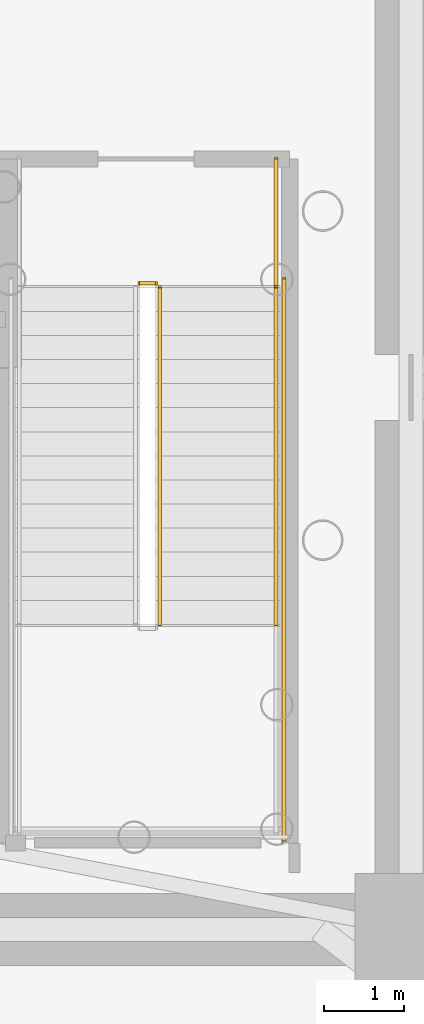
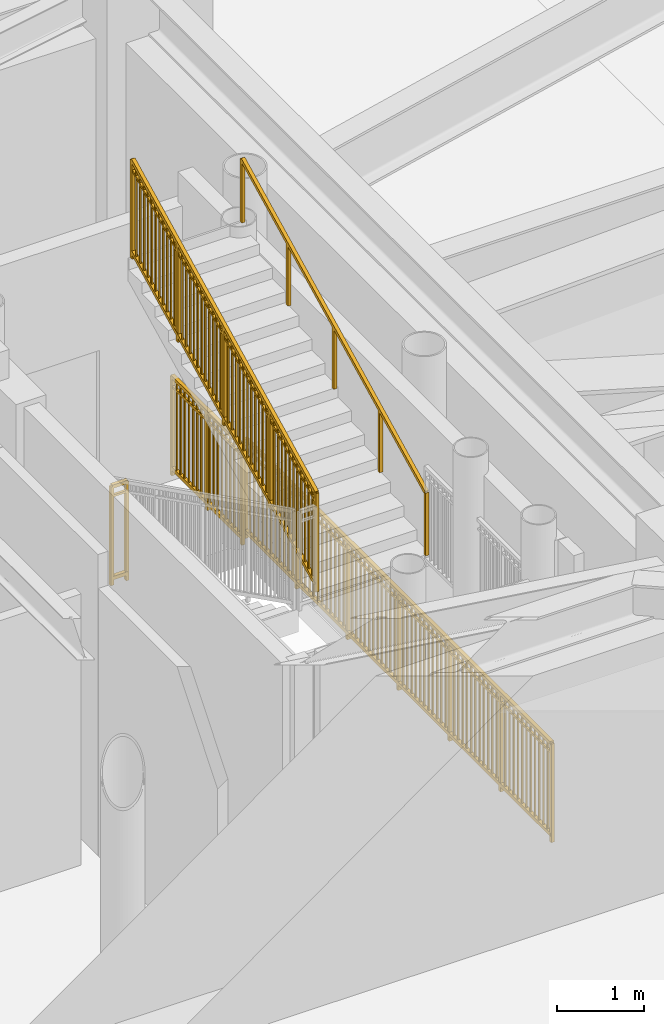
# One storey, part 20 of 21: 5 railings.
"""IFC4 building model written with IfcOpenShell, lengths in metres."""

from ifc_helpers import new_model, si_unit, direction, frame, origin, origin_2d, place, context, subcontext, project, spatial, rectangle, extrude, source, transform, mapped, material, type_object, element, save


model = new_model("IFC4")

# Units and contexts
model_context = context("Model", 3, precision=1e-05, world=origin(), true_north=direction((0.0, 1.0)))
body_context = subcontext(model_context, "Body", "Model", "MODEL_VIEW")
ifc_project = project(units=[si_unit("LENGTHUNIT", "METRE"), si_unit("AREAUNIT", "SQUARE_METRE"), si_unit("VOLUMEUNIT", "CUBIC_METRE"), si_unit("PLANEANGLEUNIT", "RADIAN"), si_unit("MASSUNIT", "GRAM", prefix="KILO")], contexts=[model_context])

# Site, building, storey
site_placement = place(None, origin())
site = spatial("IfcSite", under=ifc_project, at=site_placement, CompositionType="ELEMENT")
building_placement = place(site_placement, origin())
building = spatial("IfcBuilding", under=site, at=building_placement, Name="Linh Dai School and Residence Tower", CompositionType="ELEMENT")
storey_placement = place(building_placement, frame((0.0, 0.0, -4.5)))
storey = spatial("IfcBuildingStorey", under=building, at=storey_placement, Name="B01", CompositionType="ELEMENT", Elevation=-4.5)

# Railings
ifc_material_1 = material(Name="Structural Steel S355JR", Category="steel")
railing_type_1 = type_object("IfcRailingType", Name="RL-ST-GUARD-1400", PredefinedType="GUARDRAIL", material=ifc_material_1)
shared_shape_1 = source(origin(), body_context, "Body", "SweptSolid", [
    extrude(rectangle(XDim=0.048095703125, YDim=0.048095703125, at=origin_2d()), frame((0.0, 0.0, 1.3759765625), z_axis=(0.0, 0.894416792377, 0.447234392142), x_axis=(-1.0, 0.0, 0.0)), (0.0, 0.0, 1.0), 4.69580078125),
    extrude(rectangle(XDim=0.048095703125, YDim=0.048095703125, at=origin_2d()), frame((0.0, 0.0, 0.10009765625), z_axis=(0.0, 0.894416792377, 0.447234392142), x_axis=(-1.0, 0.0, 0.0)), (0.0, 0.0, 1.0), 4.69580078125),
    extrude(rectangle(XDim=0.030029296875, YDim=0.030029296875, at=origin_2d()), frame((0.0, 0.0, 1.239990234375), z_axis=(0.0, 0.894416792377, 0.447234392142), x_axis=(-1.0, 0.0, 0.0)), (0.0, 0.0, 1.0), 4.69580078125),
    extrude(rectangle(XDim=0.02001953125, YDim=0.02001953125, at=origin_2d()), frame((0.0, 0.08740234375, 0.143798828125)), (0.0, 0.0, 1.0), 1.251708984375),
    extrude(rectangle(XDim=0.02001953125, YDim=0.02001953125, at=origin_2d()), frame((0.0, 0.175048828125, 0.1875)), (0.0, 0.0, 1.0), 1.251708984375),
    extrude(rectangle(XDim=0.02001953125, YDim=0.02001953125, at=origin_2d()), frame((0.0, 0.262451171875, 0.2314453125)), (0.0, 0.0, 1.0), 1.251708984375),
    extrude(rectangle(XDim=0.02001953125, YDim=0.02001953125, at=origin_2d()), frame((0.0, 0.35009765625, 0.275146484375)), (0.0, 0.0, 1.0), 1.251708984375),
    extrude(rectangle(XDim=0.02001953125, YDim=0.02001953125, at=origin_2d()), frame((0.0, 0.4375, 0.31884765625)), (0.0, 0.0, 1.0), 1.251708984375),
    extrude(rectangle(XDim=0.02001953125, YDim=0.02001953125, at=origin_2d()), frame((0.0, 0.52490234375, 0.362548828125)), (0.0, 0.0, 1.0), 1.251708984375),
    extrude(rectangle(XDim=0.02001953125, YDim=0.02001953125, at=origin_2d()), frame((0.0, 0.612548828125, 0.40625)), (0.0, 0.0, 1.0), 1.251708984375),
    extrude(rectangle(XDim=0.02001953125, YDim=0.02001953125, at=origin_2d()), frame((0.0, 0.699951171875, 0.4501953125)), (0.0, 0.0, 1.0), 1.251708984375),
    extrude(rectangle(XDim=0.02001953125, YDim=0.02001953125, at=origin_2d()), frame((0.0, 0.78759765625, 0.493896484375)), (0.0, 0.0, 1.0), 1.251708984375),
    extrude(rectangle(XDim=0.02001953125, YDim=0.02001953125, at=origin_2d()), frame((0.0, 0.875, 0.53759765625)), (0.0, 0.0, 1.0), 1.251708984375),
    extrude(rectangle(XDim=0.02001953125, YDim=0.02001953125, at=origin_2d()), frame((0.0, 0.96240234375, 0.581298828125)), (0.0, 0.0, 1.0), 1.251708984375),
    extrude(rectangle(XDim=0.02001953125, YDim=0.02001953125, at=origin_2d()), frame((0.0, 1.137451171875, 0.6689453125)), (0.0, 0.0, 1.0), 1.251708984375),
    extrude(rectangle(XDim=0.02001953125, YDim=0.02001953125, at=origin_2d()), frame((0.0, 1.22509765625, 0.712646484375)), (0.0, 0.0, 1.0), 1.251708984375),
    extrude(rectangle(XDim=0.02001953125, YDim=0.02001953125, at=origin_2d()), frame((0.0, 1.3125, 0.75634765625)), (0.0, 0.0, 1.0), 1.251708984375),
    extrude(rectangle(XDim=0.02001953125, YDim=0.02001953125, at=origin_2d()), frame((0.0, 1.39990234375, 0.800048828125)), (0.0, 0.0, 1.0), 1.251708984375),
    extrude(rectangle(XDim=0.02001953125, YDim=0.02001953125, at=origin_2d()), frame((0.0, 1.487548828125, 0.843994140625)), (0.0, 0.0, 1.0), 1.251708984375),
    extrude(rectangle(XDim=0.02001953125, YDim=0.02001953125, at=origin_2d()), frame((0.0, 1.574951171875, 0.8876953125)), (0.0, 0.0, 1.0), 1.251708984375),
    extrude(rectangle(XDim=0.02001953125, YDim=0.02001953125, at=origin_2d()), frame((0.0, 1.66259765625, 0.931396484375)), (0.0, 0.0, 1.0), 1.251708984375),
    extrude(rectangle(XDim=0.02001953125, YDim=0.02001953125, at=origin_2d()), frame((0.0, 1.75, 0.97509765625)), (0.0, 0.0, 1.0), 1.251708984375),
    extrude(rectangle(XDim=0.02001953125, YDim=0.02001953125, at=origin_2d()), frame((0.0, 1.83740234375, 1.018798828125)), (0.0, 0.0, 1.0), 1.251708984375),
    extrude(rectangle(XDim=0.02001953125, YDim=0.02001953125, at=origin_2d()), frame((0.0, 1.925048828125, 1.062744140625)), (0.0, 0.0, 1.0), 1.251708984375),
    extrude(rectangle(XDim=0.02001953125, YDim=0.02001953125, at=origin_2d()), frame((0.0, 2.012451171875, 1.1064453125)), (0.0, 0.0, 1.0), 1.251708984375),
    extrude(rectangle(XDim=0.02001953125, YDim=0.02001953125, at=origin_2d()), frame((0.0, 2.1875, 1.19384765625)), (0.0, 0.0, 1.0), 1.251708984375),
    extrude(rectangle(XDim=0.02001953125, YDim=0.02001953125, at=origin_2d()), frame((0.0, 2.27490234375, 1.237548828125)), (0.0, 0.0, 1.0), 1.251708984375),
    extrude(rectangle(XDim=0.02001953125, YDim=0.02001953125, at=origin_2d()), frame((0.0, 2.362548828125, 1.281494140625)), (0.0, 0.0, 1.0), 1.251708984375),
    extrude(rectangle(XDim=0.02001953125, YDim=0.02001953125, at=origin_2d()), frame((0.0, 2.449951171875, 1.3251953125)), (0.0, 0.0, 1.0), 1.251708984375),
    extrude(rectangle(XDim=0.02001953125, YDim=0.02001953125, at=origin_2d()), frame((0.0, 2.537353515625, 1.368896484375)), (0.0, 0.0, 1.0), 1.251708984375),
    extrude(rectangle(XDim=0.02001953125, YDim=0.02001953125, at=origin_2d()), frame((0.0, 2.625, 1.41259765625)), (0.0, 0.0, 1.0), 1.251708984375),
    extrude(rectangle(XDim=0.02001953125, YDim=0.02001953125, at=origin_2d()), frame((0.0, 2.71240234375, 1.456298828125)), (0.0, 0.0, 1.0), 1.251708984375),
    extrude(rectangle(XDim=0.02001953125, YDim=0.02001953125, at=origin_2d()), frame((0.0, 2.800048828125, 1.500244140625)), (0.0, 0.0, 1.0), 1.251708984375),
    extrude(rectangle(XDim=0.02001953125, YDim=0.02001953125, at=origin_2d()), frame((0.0, 2.887451171875, 1.5439453125)), (0.0, 0.0, 1.0), 1.251708984375),
    extrude(rectangle(XDim=0.02001953125, YDim=0.02001953125, at=origin_2d()), frame((0.0, 2.974853515625, 1.587646484375)), (0.0, 0.0, 1.0), 1.251708984375),
    extrude(rectangle(XDim=0.02001953125, YDim=0.02001953125, at=origin_2d()), frame((0.0, 3.0625, 1.63134765625)), (0.0, 0.0, 1.0), 1.251708984375),
    extrude(rectangle(XDim=0.02001953125, YDim=0.02001953125, at=origin_2d()), frame((0.0, 3.237548828125, 1.718994140625)), (0.0, 0.0, 1.0), 1.251708984375),
    extrude(rectangle(XDim=0.02001953125, YDim=0.02001953125, at=origin_2d()), frame((0.0, 3.324951171875, 1.7626953125)), (0.0, 0.0, 1.0), 1.251708984375),
    extrude(rectangle(XDim=0.02001953125, YDim=0.02001953125, at=origin_2d()), frame((0.0, 3.412353515625, 1.806396484375)), (0.0, 0.0, 1.0), 1.251708984375),
    extrude(rectangle(XDim=0.02001953125, YDim=0.02001953125, at=origin_2d()), frame((0.0, 3.5, 1.85009765625)), (0.0, 0.0, 1.0), 1.251708984375),
    extrude(rectangle(XDim=0.02001953125, YDim=0.02001953125, at=origin_2d()), frame((0.0, 3.58740234375, 1.89404296875)), (0.0, 0.0, 1.0), 1.251708984375),
    extrude(rectangle(XDim=0.02001953125, YDim=0.02001953125, at=origin_2d()), frame((0.0, 3.675048828125, 1.937744140625)), (0.0, 0.0, 1.0), 1.251708984375),
    extrude(rectangle(XDim=0.02001953125, YDim=0.02001953125, at=origin_2d()), frame((0.0, 3.762451171875, 1.9814453125)), (0.0, 0.0, 1.0), 1.251708984375),
    extrude(rectangle(XDim=0.02001953125, YDim=0.02001953125, at=origin_2d()), frame((0.0, 3.849853515625, 2.025146484375)), (0.0, 0.0, 1.0), 1.251708984375),
    extrude(rectangle(XDim=0.02001953125, YDim=0.02001953125, at=origin_2d()), frame((0.0, 3.9375, 2.06884765625)), (0.0, 0.0, 1.0), 1.251708984375),
    extrude(rectangle(XDim=0.02001953125, YDim=0.02001953125, at=origin_2d()), frame((0.0, 4.02490234375, 2.11279296875)), (0.0, 0.0, 1.0), 1.251708984375),
    extrude(rectangle(XDim=0.02001953125, YDim=0.02001953125, at=origin_2d()), frame((0.0, 4.112548828125, 2.156494140625)), (0.0, 0.0, 1.0), 1.251708984375),
    extrude(rectangle(XDim=0.0419921875, YDim=0.0419921875, at=origin_2d()), origin(), (0.0, 0.0, 1.0), 1.3759765625),
    extrude(rectangle(XDim=0.0419921875, YDim=0.0419921875, at=origin_2d()), frame((0.0, 1.050048828125, 0.52490234375)), (0.0, 0.0, 1.0), 1.3759765625),
    extrude(rectangle(XDim=0.0419921875, YDim=0.0419921875, at=origin_2d()), frame((0.0, 2.10009765625, 1.050048828125)), (0.0, 0.0, 1.0), 1.3759765625),
    extrude(rectangle(XDim=0.0419921875, YDim=0.0419921875, at=origin_2d()), frame((0.0, 3.14990234375, 1.5751953125)), (0.0, 0.0, 1.0), 1.3759765625),
    extrude(rectangle(XDim=0.0419921875, YDim=0.0419921875, at=origin_2d()), frame((0.0, 4.199951171875, 2.10009765625)), (0.0, 0.0, 1.0), 1.3759765625),
])
railing_1_placement = place(storey_placement, frame((42.820068359375, 24.050048828125, 2.39990234375)))
element("IfcRailing", 1, at=railing_1_placement, inside=storey, type_object=railing_type_1, Name="B01 ST2 stair guard 6", PredefinedType="GUARDRAIL", context=body_context, shape_type="MappedRepresentation", body=[
    mapped(shared_shape_1, transform((0.0, 0.0, 0.0), x_axis=(1.0, 0.0, 0.0), y_axis=(0.0, 1.0, 0.0), z_axis=(0.0, 0.0, 1.0), scale=1.0)),
])
ifc_material_2 = material(Name="Brushed Stainless Steel Handrail", Category="steel")
railing_type_2 = type_object("IfcRailingType", Name="RL-ST-HANDRAIL-900", PredefinedType="HANDRAIL", material=ifc_material_2)
shared_shape_2 = source(origin(), body_context, "Body", "SweptSolid", [
    extrude(rectangle(XDim=0.048095703125, YDim=0.048095703125, at=origin_2d()), frame((0.0, 0.0, 0.8759765625), z_axis=(0.0, 0.894416792377, 0.447234392142), x_axis=(-1.0, 0.0, 0.0)), (0.0, 0.0, 1.0), 4.69580078125),
    extrude(rectangle(XDim=0.0419921875, YDim=0.0419921875, at=origin_2d()), origin(), (0.0, 0.0, 1.0), 0.8759765625),
    extrude(rectangle(XDim=0.0419921875, YDim=0.0419921875, at=origin_2d()), frame((0.0, 1.050048828125, 0.52490234375)), (0.0, 0.0, 1.0), 0.8759765625),
    extrude(rectangle(XDim=0.0419921875, YDim=0.0419921875, at=origin_2d()), frame((0.0, 2.10009765625, 1.050048828125)), (0.0, 0.0, 1.0), 0.8759765625),
    extrude(rectangle(XDim=0.0419921875, YDim=0.0419921875, at=origin_2d()), frame((0.0, 3.14990234375, 1.5751953125)), (0.0, 0.0, 1.0), 0.8759765625),
    extrude(rectangle(XDim=0.0419921875, YDim=0.0419921875, at=origin_2d()), frame((0.0, 4.199951171875, 2.10009765625)), (0.0, 0.0, 1.0), 0.8759765625),
])
railing_2_placement = place(storey_placement, frame((44.27001953125, 24.050048828125, 2.39990234375)))
element("IfcRailing", 2, at=railing_2_placement, inside=storey, type_object=railing_type_2, Name="B01 ST2 stair handrail 2", PredefinedType="HANDRAIL", context=body_context, shape_type="MappedRepresentation", body=[
    mapped(shared_shape_2, transform((0.0, 0.0, 0.0), x_axis=(1.0, 0.0, 0.0), y_axis=(0.0, 1.0, 0.0), z_axis=(0.0, 0.0, 1.0), scale=1.0)),
])
shared_shape_3 = source(origin(), body_context, "Body", "SweptSolid", [
    extrude(rectangle(XDim=0.048095703125, YDim=0.048095703125, at=origin_2d()), frame((0.0, 0.0, 1.3759765625), z_axis=(1.0, 0.0, 0.0), x_axis=(0.0, 1.0, 0.0)), (0.0, 0.0, 1.0), 0.199951171875),
    extrude(rectangle(XDim=0.048095703125, YDim=0.048095703125, at=origin_2d()), frame((0.0, 0.0, 0.10009765625), z_axis=(1.0, 0.0, 0.0), x_axis=(0.0, 1.0, 0.0)), (0.0, 0.0, 1.0), 0.199951171875),
    extrude(rectangle(XDim=0.030029296875, YDim=0.030029296875, at=origin_2d()), frame((0.0, 0.0, 1.239990234375), z_axis=(1.0, 0.0, 0.0), x_axis=(0.0, 1.0, 0.0)), (0.0, 0.0, 1.0), 0.199951171875),
    extrude(rectangle(XDim=0.0419921875, YDim=0.0419921875, at=origin_2d()), origin(), (0.0, 0.0, 1.0), 1.3759765625),
    extrude(rectangle(XDim=0.0419921875, YDim=0.0419921875, at=origin_2d()), frame((0.199951171875, 0.0, 0.0)), (0.0, 0.0, 1.0), 1.3759765625),
])
railing_3_placement = place(storey_placement, frame((42.570068359375, 28.300048828125, 0.0)))
element("IfcRailing", 3, at=railing_3_placement, inside=storey, type_object=railing_type_1, Name="B01 ST2 stair guard 7", PredefinedType="GUARDRAIL", context=body_context, shape_type="MappedRepresentation", body=[
    mapped(shared_shape_3, transform((0.0, 0.0, 0.0), x_axis=(1.0, 0.0, 0.0), y_axis=(0.0, 1.0, 0.0), z_axis=(0.0, 0.0, 1.0), scale=1.0)),
])
shared_shape_4 = source(origin(), body_context, "Body", "SweptSolid", [
    extrude(rectangle(XDim=0.048095703125, YDim=0.048095703125, at=origin_2d()), frame((0.0, 0.0, 1.3759765625), z_axis=(0.0, -1.0, 0.0), x_axis=(1.0, 0.0, 0.0)), (0.0, 0.0, 1.0), 1.60009765625),
    extrude(rectangle(XDim=0.048095703125, YDim=0.048095703125, at=origin_2d()), frame((0.0, 0.0, 0.10009765625), z_axis=(0.0, -1.0, 0.0), x_axis=(1.0, 0.0, 0.0)), (0.0, 0.0, 1.0), 1.60009765625),
    extrude(rectangle(XDim=0.030029296875, YDim=0.030029296875, at=origin_2d()), frame((0.0, 0.0, 1.239990234375), z_axis=(0.0, -1.0, 0.0), x_axis=(1.0, 0.0, 0.0)), (0.0, 0.0, 1.0), 1.60009765625),
    extrude(rectangle(XDim=0.02001953125, YDim=0.02001953125, at=origin_2d()), frame((0.0, -0.09423828125, 0.10009765625)), (0.0, 0.0, 1.0), 1.251708984375),
    extrude(rectangle(XDim=0.02001953125, YDim=0.02001953125, at=origin_2d()), frame((0.0, -0.188232421875, 0.10009765625)), (0.0, 0.0, 1.0), 1.251708984375),
    extrude(rectangle(XDim=0.02001953125, YDim=0.02001953125, at=origin_2d()), frame((0.0, -0.282470703125, 0.10009765625)), (0.0, 0.0, 1.0), 1.251708984375),
    extrude(rectangle(XDim=0.02001953125, YDim=0.02001953125, at=origin_2d()), frame((0.0, -0.37646484375, 0.10009765625)), (0.0, 0.0, 1.0), 1.251708984375),
    extrude(rectangle(XDim=0.02001953125, YDim=0.02001953125, at=origin_2d()), frame((0.0, -0.470703125, 0.10009765625)), (0.0, 0.0, 1.0), 1.251708984375),
    extrude(rectangle(XDim=0.02001953125, YDim=0.02001953125, at=origin_2d()), frame((0.0, -0.564697265625, 0.10009765625)), (0.0, 0.0, 1.0), 1.251708984375),
    extrude(rectangle(XDim=0.02001953125, YDim=0.02001953125, at=origin_2d()), frame((0.0, -0.658935546875, 0.10009765625)), (0.0, 0.0, 1.0), 1.251708984375),
    extrude(rectangle(XDim=0.02001953125, YDim=0.02001953125, at=origin_2d()), frame((0.0, -0.7529296875, 0.10009765625)), (0.0, 0.0, 1.0), 1.251708984375),
    extrude(rectangle(XDim=0.02001953125, YDim=0.02001953125, at=origin_2d()), frame((0.0, -0.84716796875, 0.10009765625)), (0.0, 0.0, 1.0), 1.251708984375),
    extrude(rectangle(XDim=0.02001953125, YDim=0.02001953125, at=origin_2d()), frame((0.0, -0.941162109375, 0.10009765625)), (0.0, 0.0, 1.0), 1.251708984375),
    extrude(rectangle(XDim=0.02001953125, YDim=0.02001953125, at=origin_2d()), frame((0.0, -1.035400390625, 0.10009765625)), (0.0, 0.0, 1.0), 1.251708984375),
    extrude(rectangle(XDim=0.02001953125, YDim=0.02001953125, at=origin_2d()), frame((0.0, -1.12939453125, 0.10009765625)), (0.0, 0.0, 1.0), 1.251708984375),
    extrude(rectangle(XDim=0.02001953125, YDim=0.02001953125, at=origin_2d()), frame((0.0, -1.2236328125, 0.10009765625)), (0.0, 0.0, 1.0), 1.251708984375),
    extrude(rectangle(XDim=0.02001953125, YDim=0.02001953125, at=origin_2d()), frame((0.0, -1.317626953125, 0.10009765625)), (0.0, 0.0, 1.0), 1.251708984375),
    extrude(rectangle(XDim=0.02001953125, YDim=0.02001953125, at=origin_2d()), frame((0.0, -1.411865234375, 0.10009765625)), (0.0, 0.0, 1.0), 1.251708984375),
    extrude(rectangle(XDim=0.02001953125, YDim=0.02001953125, at=origin_2d()), frame((0.0, -1.505859375, 0.10009765625)), (0.0, 0.0, 1.0), 1.251708984375),
    extrude(rectangle(XDim=0.0419921875, YDim=0.0419921875, at=origin_2d()), origin(), (0.0, 0.0, 1.0), 1.3759765625),
    extrude(rectangle(XDim=0.0419921875, YDim=0.0419921875, at=origin_2d()), frame((0.0, -0.800048828125, 0.0)), (0.0, 0.0, 1.0), 1.3759765625),
    extrude(rectangle(XDim=0.0419921875, YDim=0.0419921875, at=origin_2d()), frame((0.0, -1.60009765625, 0.0)), (0.0, 0.0, 1.0), 1.3759765625),
])
railing_4_placement = place(storey_placement, frame((44.27001953125, 29.85009765625, 0.0)))
element("IfcRailing", 4, at=railing_4_placement, inside=storey, type_object=railing_type_1, Name="B01 ST2 stair guard 9", PredefinedType="GUARDRAIL", context=body_context, shape_type="MappedRepresentation", body=[
    mapped(shared_shape_4, transform((0.0, 0.0, 0.0), x_axis=(1.0, 0.0, 0.0), y_axis=(0.0, 1.0, 0.0), z_axis=(0.0, 0.0, 1.0), scale=1.0)),
])
shared_shape_5 = source(origin(), body_context, "Body", "SweptSolid", [
    extrude(rectangle(XDim=0.048095703125, YDim=0.048095703125, at=origin_2d()), frame((0.0, 0.0, 1.3759765625), z_axis=(0.0, -1.0, 0.0), x_axis=(1.0, 0.0, 0.0)), (0.0, 0.0, 1.0), 7.0),
    extrude(rectangle(XDim=0.048095703125, YDim=0.048095703125, at=origin_2d()), frame((0.0, 0.0, 0.10009765625), z_axis=(0.0, -1.0, 0.0), x_axis=(1.0, 0.0, 0.0)), (0.0, 0.0, 1.0), 7.0),
    extrude(rectangle(XDim=0.030029296875, YDim=0.030029296875, at=origin_2d()), frame((0.0, 0.0, 1.239990234375), z_axis=(0.0, -1.0, 0.0), x_axis=(1.0, 0.0, 0.0)), (0.0, 0.0, 1.0), 7.0),
    extrude(rectangle(XDim=0.02001953125, YDim=0.02001953125, at=origin_2d()), frame((0.0, -0.09716796875, 0.10009765625)), (0.0, 0.0, 1.0), 1.251708984375),
    extrude(rectangle(XDim=0.02001953125, YDim=0.02001953125, at=origin_2d()), frame((0.0, -0.1943359375, 0.10009765625)), (0.0, 0.0, 1.0), 1.251708984375),
    extrude(rectangle(XDim=0.02001953125, YDim=0.02001953125, at=origin_2d()), frame((0.0, -0.291748046875, 0.10009765625)), (0.0, 0.0, 1.0), 1.251708984375),
    extrude(rectangle(XDim=0.02001953125, YDim=0.02001953125, at=origin_2d()), frame((0.0, -0.388916015625, 0.10009765625)), (0.0, 0.0, 1.0), 1.251708984375),
    extrude(rectangle(XDim=0.02001953125, YDim=0.02001953125, at=origin_2d()), frame((0.0, -0.486083984375, 0.10009765625)), (0.0, 0.0, 1.0), 1.251708984375),
    extrude(rectangle(XDim=0.02001953125, YDim=0.02001953125, at=origin_2d()), frame((0.0, -0.583251953125, 0.10009765625)), (0.0, 0.0, 1.0), 1.251708984375),
    extrude(rectangle(XDim=0.02001953125, YDim=0.02001953125, at=origin_2d()), frame((0.0, -0.6806640625, 0.10009765625)), (0.0, 0.0, 1.0), 1.251708984375),
    extrude(rectangle(XDim=0.02001953125, YDim=0.02001953125, at=origin_2d()), frame((0.0, -0.77783203125, 0.10009765625)), (0.0, 0.0, 1.0), 1.251708984375),
    extrude(rectangle(XDim=0.02001953125, YDim=0.02001953125, at=origin_2d()), frame((0.0, -0.875, 0.10009765625)), (0.0, 0.0, 1.0), 1.251708984375),
    extrude(rectangle(XDim=0.02001953125, YDim=0.02001953125, at=origin_2d()), frame((0.0, -0.97216796875, 0.10009765625)), (0.0, 0.0, 1.0), 1.251708984375),
    extrude(rectangle(XDim=0.02001953125, YDim=0.02001953125, at=origin_2d()), frame((0.0, -1.0693359375, 0.10009765625)), (0.0, 0.0, 1.0), 1.251708984375),
    extrude(rectangle(XDim=0.02001953125, YDim=0.02001953125, at=origin_2d()), frame((0.0, -1.263916015625, 0.10009765625)), (0.0, 0.0, 1.0), 1.251708984375),
    extrude(rectangle(XDim=0.02001953125, YDim=0.02001953125, at=origin_2d()), frame((0.0, -1.361083984375, 0.10009765625)), (0.0, 0.0, 1.0), 1.251708984375),
    extrude(rectangle(XDim=0.02001953125, YDim=0.02001953125, at=origin_2d()), frame((0.0, -1.458251953125, 0.10009765625)), (0.0, 0.0, 1.0), 1.251708984375),
    extrude(rectangle(XDim=0.02001953125, YDim=0.02001953125, at=origin_2d()), frame((0.0, -1.5556640625, 0.10009765625)), (0.0, 0.0, 1.0), 1.251708984375),
    extrude(rectangle(XDim=0.02001953125, YDim=0.02001953125, at=origin_2d()), frame((0.0, -1.65283203125, 0.10009765625)), (0.0, 0.0, 1.0), 1.251708984375),
    extrude(rectangle(XDim=0.02001953125, YDim=0.02001953125, at=origin_2d()), frame((0.0, -1.75, 0.10009765625)), (0.0, 0.0, 1.0), 1.251708984375),
    extrude(rectangle(XDim=0.02001953125, YDim=0.02001953125, at=origin_2d()), frame((0.0, -1.84716796875, 0.10009765625)), (0.0, 0.0, 1.0), 1.251708984375),
    extrude(rectangle(XDim=0.02001953125, YDim=0.02001953125, at=origin_2d()), frame((0.0, -1.9443359375, 0.10009765625)), (0.0, 0.0, 1.0), 1.251708984375),
    extrude(rectangle(XDim=0.02001953125, YDim=0.02001953125, at=origin_2d()), frame((0.0, -2.041748046875, 0.10009765625)), (0.0, 0.0, 1.0), 1.251708984375),
    extrude(rectangle(XDim=0.02001953125, YDim=0.02001953125, at=origin_2d()), frame((0.0, -2.138916015625, 0.10009765625)), (0.0, 0.0, 1.0), 1.251708984375),
    extrude(rectangle(XDim=0.02001953125, YDim=0.02001953125, at=origin_2d()), frame((0.0, -2.236083984375, 0.10009765625)), (0.0, 0.0, 1.0), 1.251708984375),
    extrude(rectangle(XDim=0.02001953125, YDim=0.02001953125, at=origin_2d()), frame((0.0, -2.4306640625, 0.10009765625)), (0.0, 0.0, 1.0), 1.251708984375),
    extrude(rectangle(XDim=0.02001953125, YDim=0.02001953125, at=origin_2d()), frame((0.0, -2.52783203125, 0.10009765625)), (0.0, 0.0, 1.0), 1.251708984375),
    extrude(rectangle(XDim=0.02001953125, YDim=0.02001953125, at=origin_2d()), frame((0.0, -2.625, 0.10009765625)), (0.0, 0.0, 1.0), 1.251708984375),
    extrude(rectangle(XDim=0.02001953125, YDim=0.02001953125, at=origin_2d()), frame((0.0, -2.72216796875, 0.10009765625)), (0.0, 0.0, 1.0), 1.251708984375),
    extrude(rectangle(XDim=0.02001953125, YDim=0.02001953125, at=origin_2d()), frame((0.0, -2.8193359375, 0.10009765625)), (0.0, 0.0, 1.0), 1.251708984375),
    extrude(rectangle(XDim=0.02001953125, YDim=0.02001953125, at=origin_2d()), frame((0.0, -2.916748046875, 0.10009765625)), (0.0, 0.0, 1.0), 1.251708984375),
    extrude(rectangle(XDim=0.02001953125, YDim=0.02001953125, at=origin_2d()), frame((0.0, -3.013916015625, 0.10009765625)), (0.0, 0.0, 1.0), 1.251708984375),
    extrude(rectangle(XDim=0.02001953125, YDim=0.02001953125, at=origin_2d()), frame((0.0, -3.111083984375, 0.10009765625)), (0.0, 0.0, 1.0), 1.251708984375),
    extrude(rectangle(XDim=0.02001953125, YDim=0.02001953125, at=origin_2d()), frame((0.0, -3.208251953125, 0.10009765625)), (0.0, 0.0, 1.0), 1.251708984375),
    extrude(rectangle(XDim=0.02001953125, YDim=0.02001953125, at=origin_2d()), frame((0.0, -3.3056640625, 0.10009765625)), (0.0, 0.0, 1.0), 1.251708984375),
    extrude(rectangle(XDim=0.02001953125, YDim=0.02001953125, at=origin_2d()), frame((0.0, -3.40283203125, 0.10009765625)), (0.0, 0.0, 1.0), 1.251708984375),
    extrude(rectangle(XDim=0.02001953125, YDim=0.02001953125, at=origin_2d()), frame((0.0, -3.59716796875, 0.10009765625)), (0.0, 0.0, 1.0), 1.251708984375),
    extrude(rectangle(XDim=0.02001953125, YDim=0.02001953125, at=origin_2d()), frame((0.0, -3.6943359375, 0.10009765625)), (0.0, 0.0, 1.0), 1.251708984375),
    extrude(rectangle(XDim=0.02001953125, YDim=0.02001953125, at=origin_2d()), frame((0.0, -3.791748046875, 0.10009765625)), (0.0, 0.0, 1.0), 1.251708984375),
    extrude(rectangle(XDim=0.02001953125, YDim=0.02001953125, at=origin_2d()), frame((0.0, -3.888916015625, 0.10009765625)), (0.0, 0.0, 1.0), 1.251708984375),
    extrude(rectangle(XDim=0.02001953125, YDim=0.02001953125, at=origin_2d()), frame((0.0, -3.986083984375, 0.10009765625)), (0.0, 0.0, 1.0), 1.251708984375),
    extrude(rectangle(XDim=0.02001953125, YDim=0.02001953125, at=origin_2d()), frame((0.0, -4.083251953125, 0.10009765625)), (0.0, 0.0, 1.0), 1.251708984375),
    extrude(rectangle(XDim=0.02001953125, YDim=0.02001953125, at=origin_2d()), frame((0.0, -4.1806640625, 0.10009765625)), (0.0, 0.0, 1.0), 1.251708984375),
    extrude(rectangle(XDim=0.02001953125, YDim=0.02001953125, at=origin_2d()), frame((0.0, -4.27783203125, 0.10009765625)), (0.0, 0.0, 1.0), 1.251708984375),
    extrude(rectangle(XDim=0.02001953125, YDim=0.02001953125, at=origin_2d()), frame((0.0, -4.375, 0.10009765625)), (0.0, 0.0, 1.0), 1.251708984375),
    extrude(rectangle(XDim=0.02001953125, YDim=0.02001953125, at=origin_2d()), frame((0.0, -4.47216796875, 0.10009765625)), (0.0, 0.0, 1.0), 1.251708984375),
    extrude(rectangle(XDim=0.02001953125, YDim=0.02001953125, at=origin_2d()), frame((0.0, -4.5693359375, 0.10009765625)), (0.0, 0.0, 1.0), 1.251708984375),
    extrude(rectangle(XDim=0.02001953125, YDim=0.02001953125, at=origin_2d()), frame((0.0, -4.763916015625, 0.10009765625)), (0.0, 0.0, 1.0), 1.251708984375),
    extrude(rectangle(XDim=0.02001953125, YDim=0.02001953125, at=origin_2d()), frame((0.0, -4.861083984375, 0.10009765625)), (0.0, 0.0, 1.0), 1.251708984375),
    extrude(rectangle(XDim=0.02001953125, YDim=0.02001953125, at=origin_2d()), frame((0.0, -4.958251953125, 0.10009765625)), (0.0, 0.0, 1.0), 1.251708984375),
    extrude(rectangle(XDim=0.02001953125, YDim=0.02001953125, at=origin_2d()), frame((0.0, -5.0556640625, 0.10009765625)), (0.0, 0.0, 1.0), 1.251708984375),
    extrude(rectangle(XDim=0.02001953125, YDim=0.02001953125, at=origin_2d()), frame((0.0, -5.15283203125, 0.10009765625)), (0.0, 0.0, 1.0), 1.251708984375),
    extrude(rectangle(XDim=0.02001953125, YDim=0.02001953125, at=origin_2d()), frame((0.0, -5.25, 0.10009765625)), (0.0, 0.0, 1.0), 1.251708984375),
    extrude(rectangle(XDim=0.02001953125, YDim=0.02001953125, at=origin_2d()), frame((0.0, -5.34716796875, 0.10009765625)), (0.0, 0.0, 1.0), 1.251708984375),
    extrude(rectangle(XDim=0.02001953125, YDim=0.02001953125, at=origin_2d()), frame((0.0, -5.4443359375, 0.10009765625)), (0.0, 0.0, 1.0), 1.251708984375),
    extrude(rectangle(XDim=0.02001953125, YDim=0.02001953125, at=origin_2d()), frame((0.0, -5.541748046875, 0.10009765625)), (0.0, 0.0, 1.0), 1.251708984375),
    extrude(rectangle(XDim=0.02001953125, YDim=0.02001953125, at=origin_2d()), frame((0.0, -5.638916015625, 0.10009765625)), (0.0, 0.0, 1.0), 1.251708984375),
    extrude(rectangle(XDim=0.02001953125, YDim=0.02001953125, at=origin_2d()), frame((0.0, -5.736083984375, 0.10009765625)), (0.0, 0.0, 1.0), 1.251708984375),
    extrude(rectangle(XDim=0.02001953125, YDim=0.02001953125, at=origin_2d()), frame((0.0, -5.9306640625, 0.10009765625)), (0.0, 0.0, 1.0), 1.251708984375),
    extrude(rectangle(XDim=0.02001953125, YDim=0.02001953125, at=origin_2d()), frame((0.0, -6.02783203125, 0.10009765625)), (0.0, 0.0, 1.0), 1.251708984375),
    extrude(rectangle(XDim=0.02001953125, YDim=0.02001953125, at=origin_2d()), frame((0.0, -6.125, 0.10009765625)), (0.0, 0.0, 1.0), 1.251708984375),
    extrude(rectangle(XDim=0.02001953125, YDim=0.02001953125, at=origin_2d()), frame((0.0, -6.22216796875, 0.10009765625)), (0.0, 0.0, 1.0), 1.251708984375),
    extrude(rectangle(XDim=0.02001953125, YDim=0.02001953125, at=origin_2d()), frame((0.0, -6.3193359375, 0.10009765625)), (0.0, 0.0, 1.0), 1.251708984375),
    extrude(rectangle(XDim=0.02001953125, YDim=0.02001953125, at=origin_2d()), frame((0.0, -6.416748046875, 0.10009765625)), (0.0, 0.0, 1.0), 1.251708984375),
    extrude(rectangle(XDim=0.02001953125, YDim=0.02001953125, at=origin_2d()), frame((0.0, -6.513916015625, 0.10009765625)), (0.0, 0.0, 1.0), 1.251708984375),
    extrude(rectangle(XDim=0.02001953125, YDim=0.02001953125, at=origin_2d()), frame((0.0, -6.611083984375, 0.10009765625)), (0.0, 0.0, 1.0), 1.251708984375),
    extrude(rectangle(XDim=0.02001953125, YDim=0.02001953125, at=origin_2d()), frame((0.0, -6.708251953125, 0.10009765625)), (0.0, 0.0, 1.0), 1.251708984375),
    extrude(rectangle(XDim=0.02001953125, YDim=0.02001953125, at=origin_2d()), frame((0.0, -6.8056640625, 0.10009765625)), (0.0, 0.0, 1.0), 1.251708984375),
    extrude(rectangle(XDim=0.02001953125, YDim=0.02001953125, at=origin_2d()), frame((0.0, -6.90283203125, 0.10009765625)), (0.0, 0.0, 1.0), 1.251708984375),
    extrude(rectangle(XDim=0.0419921875, YDim=0.0419921875, at=origin_2d()), origin(), (0.0, 0.0, 1.0), 1.3759765625),
    extrude(rectangle(XDim=0.0419921875, YDim=0.0419921875, at=origin_2d()), frame((0.0, -1.166748046875, 0.0)), (0.0, 0.0, 1.0), 1.3759765625),
    extrude(rectangle(XDim=0.0419921875, YDim=0.0419921875, at=origin_2d()), frame((0.0, -2.333251953125, 0.0)), (0.0, 0.0, 1.0), 1.3759765625),
    extrude(rectangle(XDim=0.0419921875, YDim=0.0419921875, at=origin_2d()), frame((0.0, -3.5, 0.0)), (0.0, 0.0, 1.0), 1.3759765625),
    extrude(rectangle(XDim=0.0419921875, YDim=0.0419921875, at=origin_2d()), frame((0.0, -4.666748046875, 0.0)), (0.0, 0.0, 1.0), 1.3759765625),
    extrude(rectangle(XDim=0.0419921875, YDim=0.0419921875, at=origin_2d()), frame((0.0, -5.833251953125, 0.0)), (0.0, 0.0, 1.0), 1.3759765625),
    extrude(rectangle(XDim=0.0419921875, YDim=0.0419921875, at=origin_2d()), frame((0.0, -7.0, 0.0)), (0.0, 0.0, 1.0), 1.3759765625),
])
railing_5_placement = place(storey_placement, frame((44.3701171875, 28.35009765625, 0.0)))
element("IfcRailing", 5, at=railing_5_placement, inside=storey, type_object=railing_type_1, Name="B01 ST2 stair guard 11", PredefinedType="GUARDRAIL", context=body_context, shape_type="MappedRepresentation", body=[
    mapped(shared_shape_5, transform((0.0, 0.0, 0.0), x_axis=(1.0, 0.0, 0.0), y_axis=(0.0, 1.0, 0.0), z_axis=(0.0, 0.0, 1.0), scale=1.0)),
])

save(model, "model.ifc")
